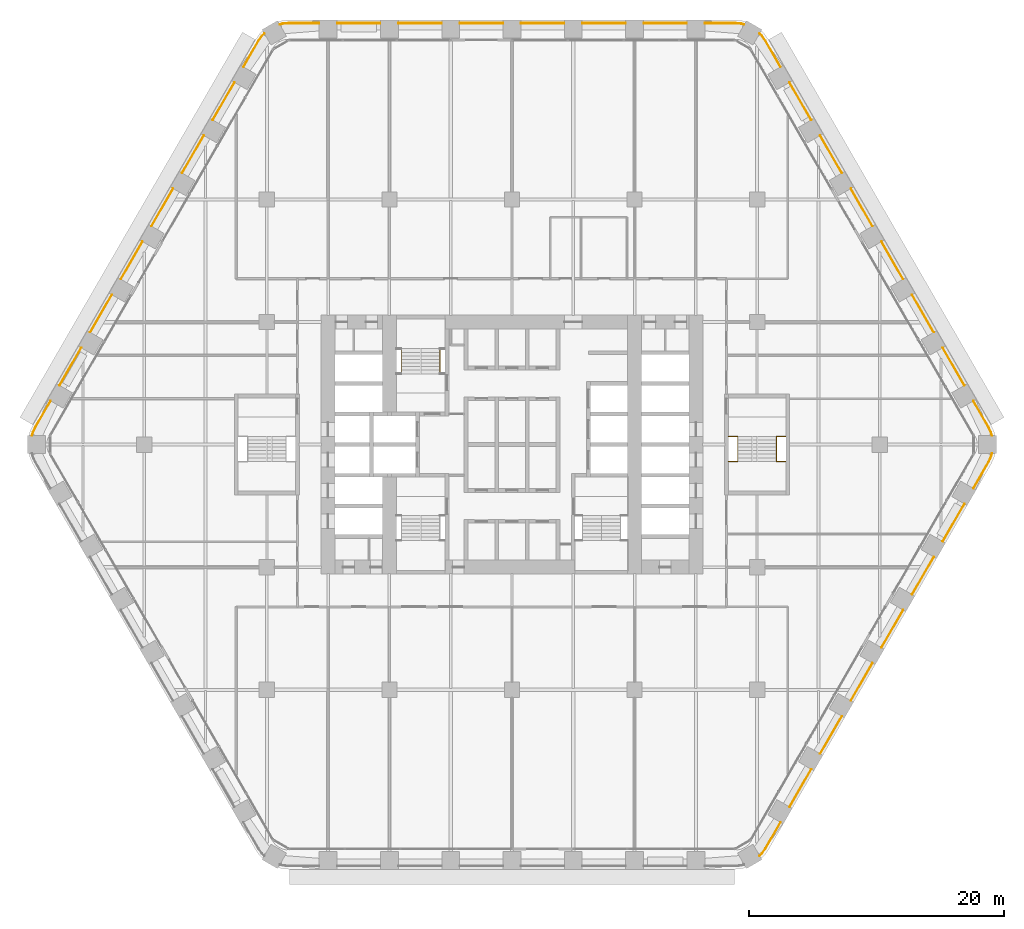
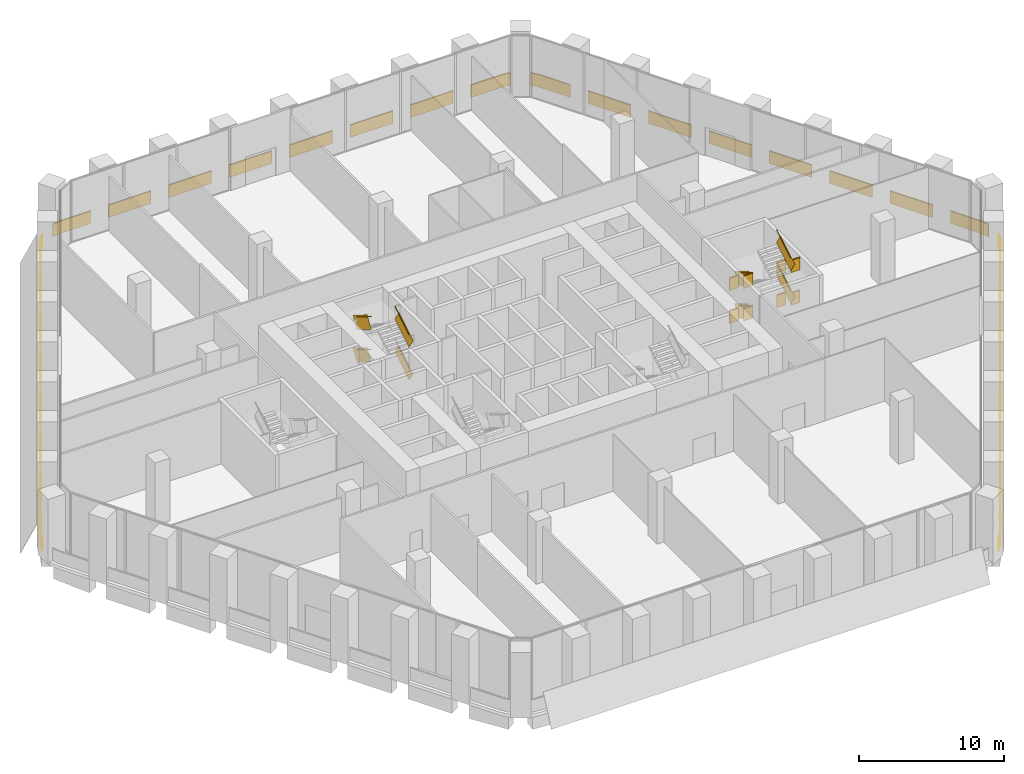
# One storey, part 27 of 27: 7 railings.
"""IFC4 building model written with IfcOpenShell, lengths in metres."""

from ifc_helpers import new_model, si_unit, direction, frame, frame_2d, origin, origin_2d, place, context, subcontext, project, spatial, rectangle, extrude, material, type_object, element, save


model = new_model("IFC4")

# Units and contexts
model_context = context("Model", 3, precision=1e-05, world=origin(), true_north=direction((0.0, 1.0)))
body_context = subcontext(model_context, "Body", "Model", "MODEL_VIEW")
ifc_project = project(units=[si_unit("LENGTHUNIT", "METRE"), si_unit("AREAUNIT", "SQUARE_METRE"), si_unit("VOLUMEUNIT", "CUBIC_METRE"), si_unit("PLANEANGLEUNIT", "RADIAN"), si_unit("MASSUNIT", "GRAM", prefix="KILO")], contexts=[model_context])

# Site, building, storey
site_placement = place(None, origin())
site = spatial("IfcSite", under=ifc_project, at=site_placement, CompositionType="ELEMENT")
building_placement = place(site_placement, origin())
building = spatial("IfcBuilding", under=site, at=building_placement, Name="Kolab Exchange Tower", CompositionType="ELEMENT")
storey_placement = place(building_placement, frame((0.0, 0.0, 22.39990234375)))
storey = spatial("IfcBuildingStorey", under=building, at=storey_placement, Name="L04", CompositionType="ELEMENT", Elevation=22.39990234375)

# Railings
ifc_material_1 = material(Name="Stainless steel 316", Category="steel")
railing_type_1 = type_object("IfcRailingType", Name="GUARD 1100", PredefinedType="GUARDRAIL", material=ifc_material_1)
railing_1_placement = place(storey_placement, frame((-5.639892578125, 5.550048828125, 0.172119140625)))
element("IfcRailing", 1, at=railing_1_placement, inside=storey, type_object=railing_type_1, Name="Handrail guard ST1", PredefinedType="GUARDRAIL", context=body_context, shape_type="SweptSolid", body=[
    extrude(rectangle(XDim=0.05, YDim=0.05, at=origin_2d()), frame((0.0, 0.0, 1.0751953125), z_axis=(0.0, 0.852288308005, 0.523072308613), x_axis=(-1.0, 0.0, 0.0)), (0.0, 0.0, 1.0), 2.299560546875),
    extrude(rectangle(XDim=0.012, YDim=1.05009765625, at=frame_2d((0.0, 0.525146484375))), frame((0.0, 0.0, 0.0), z_axis=(0.0, 0.852288308005, 0.523072308613), x_axis=(-1.0, 0.0, 0.0)), (0.0, 0.0, 1.0), 2.299560546875),
    extrude(rectangle(XDim=0.05, YDim=0.05, at=origin_2d()), frame((-3.02001953125, 1.9599609375, 2.4501953125), z_axis=(0.0, -0.852288308005, 0.523072308613), x_axis=(1.0, 0.0, 0.0)), (0.0, 0.0, 1.0), 2.299560546875),
    extrude(rectangle(XDim=0.012, YDim=1.05009765625, at=frame_2d((0.0, 0.525146484375))), frame((-3.02001953125, 1.9599609375, 1.375), z_axis=(0.0, -0.852288308005, 0.523072308613), x_axis=(1.0, 0.0, 0.0)), (0.0, 0.0, 1.0), 2.299560546875),
    extrude(rectangle(XDim=0.05, YDim=0.05, at=origin_2d()), frame((0.0, 0.0, 3.8251953125), z_axis=(0.0, 0.852288308005, 0.523072308613), x_axis=(-1.0, 0.0, 0.0)), (0.0, 0.0, 1.0), 2.299560546875),
    extrude(rectangle(XDim=0.012, YDim=1.05009765625, at=frame_2d((0.0, 0.525146484375))), frame((0.0, 0.0, 2.75), z_axis=(0.0, 0.852288308005, 0.523072308613), x_axis=(-1.0, 0.0, 0.0)), (0.0, 0.0, 1.0), 2.299560546875),
    extrude(rectangle(XDim=0.05, YDim=0.05, at=origin_2d()), frame((-3.02001953125, 1.9599609375, 5.2001953125), z_axis=(0.0, -0.852288308005, 0.523072308613), x_axis=(1.0, 0.0, 0.0)), (0.0, 0.0, 1.0), 2.299560546875),
    extrude(rectangle(XDim=0.012, YDim=1.05009765625, at=frame_2d((0.0, 0.525146484375))), frame((-3.02001953125, 1.9599609375, 4.125), z_axis=(0.0, -0.852288308005, 0.523072308613), x_axis=(1.0, 0.0, 0.0)), (0.0, 0.0, 1.0), 2.299560546875),
])
railing_2_placement = place(storey_placement, frame((16.949951171875, 0.64990234375, 0.0)))
element("IfcRailing", 2, at=railing_2_placement, inside=storey, type_object=railing_type_1, Name="Guard ST4", PredefinedType="GUARDRAIL", context=body_context, shape_type="SweptSolid", body=[
    extrude(rectangle(XDim=0.05, YDim=0.05, at=origin_2d()), frame((0.0, 0.0, 1.0751953125), z_axis=(1.0, 0.0, 0.0), x_axis=(0.0, 1.0, 0.0)), (0.0, 0.0, 1.0), 0.739990234375),
    extrude(rectangle(XDim=0.012, YDim=1.05009765625, at=frame_2d((0.0, 0.525146484375))), frame((0.0, 0.0, 0.0), z_axis=(1.0, 0.0, 0.0), x_axis=(0.0, 1.0, 0.0)), (0.0, 0.0, 1.0), 0.739990234375),
    extrude(rectangle(XDim=0.05, YDim=0.05, at=origin_2d()), frame((3.760009765625, 0.0, 1.0751953125), z_axis=(1.0, 0.0, 0.0), x_axis=(0.0, 1.0, 0.0)), (0.0, 0.0, 1.0), 0.739990234375),
    extrude(rectangle(XDim=0.012, YDim=1.05009765625, at=frame_2d((0.0, 0.525146484375))), frame((3.760009765625, 0.0, 0.0), z_axis=(1.0, 0.0, 0.0), x_axis=(0.0, 1.0, 0.0)), (0.0, 0.0, 1.0), 0.739990234375),
    extrude(rectangle(XDim=0.05, YDim=0.05, at=origin_2d()), frame((0.0, -1.9599609375, 2.4501953125), z_axis=(1.0, 0.0, 0.0), x_axis=(0.0, 1.0, 0.0)), (0.0, 0.0, 1.0), 0.739990234375),
    extrude(rectangle(XDim=0.012, YDim=1.05009765625, at=frame_2d((0.0, 0.525146484375))), frame((0.0, -1.9599609375, 1.375), z_axis=(1.0, 0.0, 0.0), x_axis=(0.0, 1.0, 0.0)), (0.0, 0.0, 1.0), 0.739990234375),
    extrude(rectangle(XDim=0.05, YDim=0.05, at=origin_2d()), frame((3.760009765625, -1.9599609375, 2.4501953125), z_axis=(1.0, 0.0, 0.0), x_axis=(0.0, 1.0, 0.0)), (0.0, 0.0, 1.0), 0.739990234375),
    extrude(rectangle(XDim=0.012, YDim=1.05009765625, at=frame_2d((0.0, 0.525146484375))), frame((3.760009765625, -1.9599609375, 1.375), z_axis=(1.0, 0.0, 0.0), x_axis=(0.0, 1.0, 0.0)), (0.0, 0.0, 1.0), 0.739990234375),
    extrude(rectangle(XDim=0.05, YDim=0.05, at=origin_2d()), frame((0.0, 0.0, 3.8251953125), z_axis=(1.0, 0.0, 0.0), x_axis=(0.0, 1.0, 0.0)), (0.0, 0.0, 1.0), 0.739990234375),
    extrude(rectangle(XDim=0.012, YDim=1.05009765625, at=frame_2d((0.0, 0.525146484375))), frame((0.0, 0.0, 2.75), z_axis=(1.0, 0.0, 0.0), x_axis=(0.0, 1.0, 0.0)), (0.0, 0.0, 1.0), 0.739990234375),
    extrude(rectangle(XDim=0.05, YDim=0.05, at=origin_2d()), frame((3.760009765625, 0.0, 3.8251953125), z_axis=(1.0, 0.0, 0.0), x_axis=(0.0, 1.0, 0.0)), (0.0, 0.0, 1.0), 0.739990234375),
    extrude(rectangle(XDim=0.012, YDim=1.05009765625, at=frame_2d((0.0, 0.525146484375))), frame((3.760009765625, 0.0, 2.75), z_axis=(1.0, 0.0, 0.0), x_axis=(0.0, 1.0, 0.0)), (0.0, 0.0, 1.0), 0.739990234375),
    extrude(rectangle(XDim=0.05, YDim=0.05, at=origin_2d()), frame((0.0, -1.9599609375, 5.2001953125), z_axis=(1.0, 0.0, 0.0), x_axis=(0.0, 1.0, 0.0)), (0.0, 0.0, 1.0), 0.739990234375),
    extrude(rectangle(XDim=0.012, YDim=1.05009765625, at=frame_2d((0.0, 0.525146484375))), frame((0.0, -1.9599609375, 4.125), z_axis=(1.0, 0.0, 0.0), x_axis=(0.0, 1.0, 0.0)), (0.0, 0.0, 1.0), 0.739990234375),
    extrude(rectangle(XDim=0.05, YDim=0.05, at=origin_2d()), frame((3.760009765625, -1.9599609375, 5.2001953125), z_axis=(1.0, 0.0, 0.0), x_axis=(0.0, 1.0, 0.0)), (0.0, 0.0, 1.0), 0.739990234375),
    extrude(rectangle(XDim=0.012, YDim=1.05009765625, at=frame_2d((0.0, 0.525146484375))), frame((3.760009765625, -1.9599609375, 4.125), z_axis=(1.0, 0.0, 0.0), x_axis=(0.0, 1.0, 0.0)), (0.0, 0.0, 1.0), 0.739990234375),
])
railing_3_placement = place(storey_placement, frame((17.68994140625, 0.64990234375, 0.172119140625)))
element("IfcRailing", 3, at=railing_3_placement, inside=storey, type_object=railing_type_1, Name="Handrail guard ST4", PredefinedType="GUARDRAIL", context=body_context, shape_type="SweptSolid", body=[
    extrude(rectangle(XDim=0.05, YDim=0.05, at=origin_2d()), frame((0.0, 0.0, 1.0751953125), z_axis=(0.0, -0.852288308005, 0.523072308613), x_axis=(1.0, 0.0, 0.0)), (0.0, 0.0, 1.0), 2.299560546875),
    extrude(rectangle(XDim=0.012, YDim=1.05009765625, at=frame_2d((0.0, 0.525146484375))), frame((0.0, 0.0, 0.0), z_axis=(0.0, -0.852288308005, 0.523072308613), x_axis=(1.0, 0.0, 0.0)), (0.0, 0.0, 1.0), 2.299560546875),
    extrude(rectangle(XDim=0.05, YDim=0.05, at=origin_2d()), frame((3.02001953125, -1.9599609375, 2.4501953125), z_axis=(0.0, 0.852288308005, 0.523072308613), x_axis=(-1.0, 0.0, 0.0)), (0.0, 0.0, 1.0), 2.299560546875),
    extrude(rectangle(XDim=0.012, YDim=1.05009765625, at=frame_2d((0.0, 0.525146484375))), frame((3.02001953125, -1.9599609375, 1.375), z_axis=(0.0, 0.852288308005, 0.523072308613), x_axis=(-1.0, 0.0, 0.0)), (0.0, 0.0, 1.0), 2.299560546875),
    extrude(rectangle(XDim=0.05, YDim=0.05, at=origin_2d()), frame((0.0, 0.0, 3.8251953125), z_axis=(0.0, -0.852288308005, 0.523072308613), x_axis=(1.0, 0.0, 0.0)), (0.0, 0.0, 1.0), 2.299560546875),
    extrude(rectangle(XDim=0.012, YDim=1.05009765625, at=frame_2d((0.0, 0.525146484375))), frame((0.0, 0.0, 2.75), z_axis=(0.0, -0.852288308005, 0.523072308613), x_axis=(1.0, 0.0, 0.0)), (0.0, 0.0, 1.0), 2.299560546875),
    extrude(rectangle(XDim=0.05, YDim=0.05, at=origin_2d()), frame((3.02001953125, -1.9599609375, 5.2001953125), z_axis=(0.0, 0.852288308005, 0.523072308613), x_axis=(-1.0, 0.0, 0.0)), (0.0, 0.0, 1.0), 2.299560546875),
    extrude(rectangle(XDim=0.012, YDim=1.05009765625, at=frame_2d((0.0, 0.525146484375))), frame((3.02001953125, -1.9599609375, 4.125), z_axis=(0.0, 0.852288308005, 0.523072308613), x_axis=(-1.0, 0.0, 0.0)), (0.0, 0.0, 1.0), 2.299560546875),
])
ifc_material_2 = material(Name="Steel S235", Category="steel")
railing_type_2 = type_object("IfcRailingType", Name="GUARD 1100 GLASS BALUSTRADE AND STEEL TOP RAIL", PredefinedType="GUARDRAIL", material=ifc_material_2)
railing_4_placement = place(storey_placement, frame((18.1953125, 32.896728515625, 0.0)))
element("IfcRailing", 4, at=railing_4_placement, inside=storey, type_object=railing_type_2, Name="Guard", PredefinedType="GUARDRAIL", context=body_context, shape_type="SweptSolid", body=[
    extrude(rectangle(XDim=0.05, YDim=0.05, at=origin_2d()), frame((0.0, 0.0, 1.0751953125), z_axis=(-0.965952265455, 0.258720352624, 0.0), x_axis=(-0.258720352624, -0.965952265455, 0.0)), (0.0, 0.0, 1.0), 0.258544921875),
    extrude(rectangle(XDim=0.012, YDim=1.05009765625, at=frame_2d((0.0, 0.525146484375))), frame((0.0, 0.0, 0.0), z_axis=(-0.965952265455, 0.258720352624, 0.0), x_axis=(-0.258720352624, -0.965952265455, 0.0)), (0.0, 0.0, 1.0), 0.258544921875),
    extrude(rectangle(XDim=0.05, YDim=0.05, at=origin_2d()), frame((-0.249755859375, 0.06689453125, 1.0751953125), z_axis=(-0.996200348447, 0.087091134757, 0.0), x_axis=(-0.087091134757, -0.996200348447, 0.0)), (0.0, 0.0, 1.0), 0.479248046875),
    extrude(rectangle(XDim=0.012, YDim=1.05009765625, at=frame_2d((0.0, 0.525146484375))), frame((-0.249755859375, 0.06689453125, 0.0), z_axis=(-0.996200348447, 0.087091134757, 0.0), x_axis=(-0.087091134757, -0.996200348447, 0.0)), (0.0, 0.0, 1.0), 0.479248046875),
    extrude(rectangle(XDim=0.05, YDim=0.05, at=origin_2d()), frame((-0.727294921875, 0.108642578125, 1.0751953125), z_axis=(-1.0, 0.0, 0.0), x_axis=(0.0, -1.0, 0.0)), (0.0, 0.0, 1.0), 2.367919921875),
    extrude(rectangle(XDim=0.012, YDim=1.05009765625, at=frame_2d((0.0, 0.525146484375))), frame((-0.727294921875, 0.108642578125, 0.0), z_axis=(-1.0, 0.0, 0.0), x_axis=(0.0, -1.0, 0.0)), (0.0, 0.0, 1.0), 2.367919921875),
    extrude(rectangle(XDim=0.05, YDim=0.05, at=origin_2d()), frame((-4.495361328125, 0.108642578125, 1.0751953125), z_axis=(-1.0, 0.0, 0.0), x_axis=(0.0, -1.0, 0.0)), (0.0, 0.0, 1.0), 3.39990234375),
    extrude(rectangle(XDim=0.012, YDim=1.05009765625, at=frame_2d((0.0, 0.525146484375))), frame((-4.495361328125, 0.108642578125, 0.0), z_axis=(-1.0, 0.0, 0.0), x_axis=(0.0, -1.0, 0.0)), (0.0, 0.0, 1.0), 3.39990234375),
    extrude(rectangle(XDim=0.05, YDim=0.05, at=origin_2d()), frame((-9.29541015625, 0.108642578125, 1.0751953125), z_axis=(-1.0, 0.0, 0.0), x_axis=(0.0, -1.0, 0.0)), (0.0, 0.0, 1.0), 3.39990234375),
    extrude(rectangle(XDim=0.012, YDim=1.05009765625, at=frame_2d((0.0, 0.525146484375))), frame((-9.29541015625, 0.108642578125, 0.0), z_axis=(-1.0, 0.0, 0.0), x_axis=(0.0, -1.0, 0.0)), (0.0, 0.0, 1.0), 3.39990234375),
    extrude(rectangle(XDim=0.05, YDim=0.05, at=origin_2d()), frame((-14.09521484375, 0.108642578125, 1.0751953125), z_axis=(-1.0, 0.0, 0.0), x_axis=(0.0, -1.0, 0.0)), (0.0, 0.0, 1.0), 3.400146484375),
    extrude(rectangle(XDim=0.012, YDim=1.05009765625, at=frame_2d((0.0, 0.525146484375))), frame((-14.09521484375, 0.108642578125, 0.0), z_axis=(-1.0, 0.0, 0.0), x_axis=(0.0, -1.0, 0.0)), (0.0, 0.0, 1.0), 3.400146484375),
    extrude(rectangle(XDim=0.05, YDim=0.05, at=origin_2d()), frame((-18.895263671875, 0.108642578125, 1.0751953125), z_axis=(-1.0, 0.0, 0.0), x_axis=(0.0, -1.0, 0.0)), (0.0, 0.0, 1.0), 3.400146484375),
    extrude(rectangle(XDim=0.012, YDim=1.05009765625, at=frame_2d((0.0, 0.525146484375))), frame((-18.895263671875, 0.108642578125, 0.0), z_axis=(-1.0, 0.0, 0.0), x_axis=(0.0, -1.0, 0.0)), (0.0, 0.0, 1.0), 3.400146484375),
    extrude(rectangle(XDim=0.05, YDim=0.05, at=origin_2d()), frame((-23.6953125, 0.108642578125, 1.0751953125), z_axis=(-1.0, 0.0, 0.0), x_axis=(0.0, -1.0, 0.0)), (0.0, 0.0, 1.0), 3.39990234375),
    extrude(rectangle(XDim=0.012, YDim=1.05009765625, at=frame_2d((0.0, 0.525146484375))), frame((-23.6953125, 0.108642578125, 0.0), z_axis=(-1.0, 0.0, 0.0), x_axis=(0.0, -1.0, 0.0)), (0.0, 0.0, 1.0), 3.39990234375),
    extrude(rectangle(XDim=0.05, YDim=0.05, at=origin_2d()), frame((-28.495361328125, 0.108642578125, 1.0751953125), z_axis=(-1.0, 0.0, 0.0), x_axis=(0.0, -1.0, 0.0)), (0.0, 0.0, 1.0), 3.39990234375),
    extrude(rectangle(XDim=0.012, YDim=1.05009765625, at=frame_2d((0.0, 0.525146484375))), frame((-28.495361328125, 0.108642578125, 0.0), z_axis=(-1.0, 0.0, 0.0), x_axis=(0.0, -1.0, 0.0)), (0.0, 0.0, 1.0), 3.39990234375),
    extrude(rectangle(XDim=0.05, YDim=0.05, at=origin_2d()), frame((-33.29541015625, 0.108642578125, 1.0751953125), z_axis=(-1.0, 0.0, 0.0), x_axis=(0.0, -1.0, 0.0)), (0.0, 0.0, 1.0), 2.367919921875),
    extrude(rectangle(XDim=0.012, YDim=1.05009765625, at=frame_2d((0.0, 0.525146484375))), frame((-33.29541015625, 0.108642578125, 0.0), z_axis=(-1.0, 0.0, 0.0), x_axis=(0.0, -1.0, 0.0)), (0.0, 0.0, 1.0), 2.367919921875),
    extrude(rectangle(XDim=0.05, YDim=0.05, at=origin_2d()), frame((-35.663330078125, 0.108642578125, 1.0751953125), z_axis=(-0.996200348447, -0.087091134757, 0.0), x_axis=(0.087091134757, -0.996200348447, 0.0)), (0.0, 0.0, 1.0), 0.479248046875),
    extrude(rectangle(XDim=0.012, YDim=1.05009765625, at=frame_2d((0.0, 0.525146484375))), frame((-35.663330078125, 0.108642578125, 0.0), z_axis=(-0.996200348447, -0.087091134757, 0.0), x_axis=(0.087091134757, -0.996200348447, 0.0)), (0.0, 0.0, 1.0), 0.479248046875),
    extrude(rectangle(XDim=0.05, YDim=0.05, at=origin_2d()), frame((-36.140869140625, 0.06689453125, 1.0751953125), z_axis=(-0.965952265455, -0.258720352624, 0.0), x_axis=(0.258720352624, -0.965952265455, 0.0)), (0.0, 0.0, 1.0), 0.258544921875),
    extrude(rectangle(XDim=0.012, YDim=1.05009765625, at=frame_2d((0.0, 0.525146484375))), frame((-36.140869140625, 0.06689453125, 0.0), z_axis=(-0.965952265455, -0.258720352624, 0.0), x_axis=(0.258720352624, -0.965952265455, 0.0)), (0.0, 0.0, 1.0), 0.258544921875),
])
railing_5_placement = place(storey_placement, frame((37.5869140625, 0.690673828125, 0.0)))
element("IfcRailing", 5, at=railing_5_placement, inside=storey, type_object=railing_type_2, Name="Guard", PredefinedType="GUARDRAIL", context=body_context, shape_type="SweptSolid", body=[
    extrude(rectangle(XDim=0.05, YDim=0.05, at=origin_2d()), frame((0.0, 0.0, 1.0751953125), z_axis=(-0.258484584798, 0.966015382601, 0.0), x_axis=(-0.966015382601, -0.258484584798, 0.0)), (0.0, 0.0, 1.0), 0.2587890625),
    extrude(rectangle(XDim=0.012, YDim=1.05009765625, at=frame_2d((0.0, 0.525146484375))), frame((0.0, 0.0, 0.0), z_axis=(-0.258484584798, 0.966015382601, 0.0), x_axis=(-0.966015382601, -0.258484584798, 0.0)), (0.0, 0.0, 1.0), 0.2587890625),
    extrude(rectangle(XDim=0.05, YDim=0.05, at=origin_2d()), frame((-0.06689453125, 0.25, 1.0751953125), z_axis=(-0.422801802984, 0.906222177721, 0.0), x_axis=(-0.906222177721, -0.422801802984, 0.0)), (0.0, 0.0, 1.0), 0.479248046875),
    extrude(rectangle(XDim=0.012, YDim=1.05009765625, at=frame_2d((0.0, 0.525146484375))), frame((-0.06689453125, 0.25, 0.0), z_axis=(-0.422801802984, 0.906222177721, 0.0), x_axis=(-0.906222177721, -0.422801802984, 0.0)), (0.0, 0.0, 1.0), 0.479248046875),
    extrude(rectangle(XDim=0.05, YDim=0.05, at=origin_2d()), frame((-0.26953125, 0.684326171875, 1.0751953125), z_axis=(-0.499942602326, 0.866058539811, 0.0), x_axis=(-0.866058539811, -0.499942602326, 0.0)), (0.0, 0.0, 1.0), 2.367919921875),
    extrude(rectangle(XDim=0.012, YDim=1.05009765625, at=frame_2d((0.0, 0.525146484375))), frame((-0.26953125, 0.684326171875, 0.0), z_axis=(-0.499942602326, 0.866058539811, 0.0), x_axis=(-0.866058539811, -0.499942602326, 0.0)), (0.0, 0.0, 1.0), 2.367919921875),
    extrude(rectangle(XDim=0.05, YDim=0.05, at=origin_2d()), frame((-2.1533203125, 3.947509765625, 1.0751953125), z_axis=(-0.500062241894, 0.865989465428, 0.0), x_axis=(-0.865989465428, -0.500062241894, 0.0)), (0.0, 0.0, 1.0), 3.39990234375),
    extrude(rectangle(XDim=0.012, YDim=1.05009765625, at=frame_2d((0.0, 0.525146484375))), frame((-2.1533203125, 3.947509765625, 0.0), z_axis=(-0.500062241894, 0.865989465428, 0.0), x_axis=(-0.865989465428, -0.500062241894, 0.0)), (0.0, 0.0, 1.0), 3.39990234375),
    extrude(rectangle(XDim=0.05, YDim=0.05, at=origin_2d()), frame((-4.553466796875, 8.1044921875, 1.0751953125), z_axis=(-0.500008388397, 0.866020560687, 0.0), x_axis=(-0.866020560687, -0.500008388397, 0.0)), (0.0, 0.0, 1.0), 3.39990234375),
    extrude(rectangle(XDim=0.012, YDim=1.05009765625, at=frame_2d((0.0, 0.525146484375))), frame((-4.553466796875, 8.1044921875, 0.0), z_axis=(-0.500008388397, 0.866020560687, 0.0), x_axis=(-0.866020560687, -0.500008388397, 0.0)), (0.0, 0.0, 1.0), 3.39990234375),
    extrude(rectangle(XDim=0.05, YDim=0.05, at=origin_2d()), frame((-6.953369140625, 12.26123046875, 1.0751953125), z_axis=(-0.499977295307, 0.866038511948, 0.0), x_axis=(-0.866038511948, -0.499977295307, 0.0)), (0.0, 0.0, 1.0), 3.400146484375),
    extrude(rectangle(XDim=0.012, YDim=1.05009765625, at=frame_2d((0.0, 0.525146484375))), frame((-6.953369140625, 12.26123046875, 0.0), z_axis=(-0.499977295307, 0.866038511948, 0.0), x_axis=(-0.866038511948, -0.499977295307, 0.0)), (0.0, 0.0, 1.0), 3.400146484375),
    extrude(rectangle(XDim=0.05, YDim=0.05, at=origin_2d()), frame((-9.353515625, 16.418212890625, 1.0751953125), z_axis=(-0.499977295307, 0.866038511948, 0.0), x_axis=(-0.866038511948, -0.499977295307, 0.0)), (0.0, 0.0, 1.0), 3.400146484375),
    extrude(rectangle(XDim=0.012, YDim=1.05009765625, at=frame_2d((0.0, 0.525146484375))), frame((-9.353515625, 16.418212890625, 0.0), z_axis=(-0.499977295307, 0.866038511948, 0.0), x_axis=(-0.866038511948, -0.499977295307, 0.0)), (0.0, 0.0, 1.0), 3.400146484375),
    extrude(rectangle(XDim=0.05, YDim=0.05, at=origin_2d()), frame((-11.75341796875, 20.5751953125, 1.0751953125), z_axis=(-0.500008388397, 0.866020560687, 0.0), x_axis=(-0.866020560687, -0.500008388397, 0.0)), (0.0, 0.0, 1.0), 3.39990234375),
    extrude(rectangle(XDim=0.012, YDim=1.05009765625, at=frame_2d((0.0, 0.525146484375))), frame((-11.75341796875, 20.5751953125, 0.0), z_axis=(-0.500008388397, 0.866020560687, 0.0), x_axis=(-0.866020560687, -0.500008388397, 0.0)), (0.0, 0.0, 1.0), 3.39990234375),
    extrude(rectangle(XDim=0.05, YDim=0.05, at=origin_2d()), frame((-14.1533203125, 24.732177734375, 1.0751953125), z_axis=(-0.500062241894, 0.865989465428, 0.0), x_axis=(-0.865989465428, -0.500062241894, 0.0)), (0.0, 0.0, 1.0), 3.39990234375),
    extrude(rectangle(XDim=0.012, YDim=1.05009765625, at=frame_2d((0.0, 0.525146484375))), frame((-14.1533203125, 24.732177734375, 0.0), z_axis=(-0.500062241894, 0.865989465428, 0.0), x_axis=(-0.865989465428, -0.500062241894, 0.0)), (0.0, 0.0, 1.0), 3.39990234375),
    extrude(rectangle(XDim=0.05, YDim=0.05, at=origin_2d()), frame((-16.553466796875, 28.888916015625, 1.0751953125), z_axis=(-0.499942602326, 0.866058539811, 0.0), x_axis=(-0.866058539811, -0.499942602326, 0.0)), (0.0, 0.0, 1.0), 2.367919921875),
    extrude(rectangle(XDim=0.012, YDim=1.05009765625, at=frame_2d((0.0, 0.525146484375))), frame((-16.553466796875, 28.888916015625, 0.0), z_axis=(-0.499942602326, 0.866058539811, 0.0), x_axis=(-0.866058539811, -0.499942602326, 0.0)), (0.0, 0.0, 1.0), 2.367919921875),
    extrude(rectangle(XDim=0.05, YDim=0.05, at=origin_2d()), frame((-17.7373046875, 30.939697265625, 1.0751953125), z_axis=(-0.573940749815, 0.818896828485, 0.0), x_axis=(-0.818896828485, -0.573940749815, 0.0)), (0.0, 0.0, 1.0), 0.4794921875),
    extrude(rectangle(XDim=0.012, YDim=1.05009765625, at=frame_2d((0.0, 0.525146484375))), frame((-17.7373046875, 30.939697265625, 0.0), z_axis=(-0.573940749815, 0.818896828485, 0.0), x_axis=(-0.818896828485, -0.573940749815, 0.0)), (0.0, 0.0, 1.0), 0.4794921875),
    extrude(rectangle(XDim=0.05, YDim=0.05, at=origin_2d()), frame((-18.012451171875, 31.332275390625, 1.0751953125), z_axis=(-0.706634904947, 0.707578342737, 0.0), x_axis=(-0.707578342737, -0.706634904947, 0.0)), (0.0, 0.0, 1.0), 0.2587890625),
    extrude(rectangle(XDim=0.012, YDim=1.05009765625, at=frame_2d((0.0, 0.525146484375))), frame((-18.012451171875, 31.332275390625, 0.0), z_axis=(-0.706634904947, 0.707578342737, 0.0), x_axis=(-0.707578342737, -0.706634904947, 0.0)), (0.0, 0.0, 1.0), 0.2587890625),
])
railing_6_placement = place(storey_placement, frame((19.3916015625, -32.2060546875, 0.0)))
element("IfcRailing", 6, at=railing_6_placement, inside=storey, type_object=railing_type_2, Name="Guard", PredefinedType="GUARDRAIL", context=body_context, shape_type="SweptSolid", body=[
    extrude(rectangle(XDim=0.05, YDim=0.05, at=origin_2d()), frame((0.0, 0.0, 1.0751953125), z_axis=(0.706634904947, 0.707578342737, 0.0), x_axis=(-0.707578342737, 0.706634904947, 0.0)), (0.0, 0.0, 1.0), 0.2587890625),
    extrude(rectangle(XDim=0.012, YDim=1.05009765625, at=frame_2d((0.0, 0.525146484375))), frame((0.0, 0.0, 0.0), z_axis=(0.706634904947, 0.707578342737, 0.0), x_axis=(-0.707578342737, 0.706634904947, 0.0)), (0.0, 0.0, 1.0), 0.2587890625),
    extrude(rectangle(XDim=0.05, YDim=0.05, at=origin_2d()), frame((0.182861328125, 0.18310546875, 1.0751953125), z_axis=(0.573940749815, 0.818896828485, 0.0), x_axis=(-0.818896828485, 0.573940749815, 0.0)), (0.0, 0.0, 1.0), 0.4794921875),
    extrude(rectangle(XDim=0.012, YDim=1.05009765625, at=frame_2d((0.0, 0.525146484375))), frame((0.182861328125, 0.18310546875, 0.0), z_axis=(0.573940749815, 0.818896828485, 0.0), x_axis=(-0.818896828485, 0.573940749815, 0.0)), (0.0, 0.0, 1.0), 0.4794921875),
    extrude(rectangle(XDim=0.05, YDim=0.05, at=origin_2d()), frame((0.4580078125, 0.57568359375, 1.0751953125), z_axis=(0.499942602326, 0.866058539811, 0.0), x_axis=(-0.866058539811, 0.499942602326, 0.0)), (0.0, 0.0, 1.0), 2.367919921875),
    extrude(rectangle(XDim=0.012, YDim=1.05009765625, at=frame_2d((0.0, 0.525146484375))), frame((0.4580078125, 0.57568359375, 0.0), z_axis=(0.499942602326, 0.866058539811, 0.0), x_axis=(-0.866058539811, 0.499942602326, 0.0)), (0.0, 0.0, 1.0), 2.367919921875),
    extrude(rectangle(XDim=0.05, YDim=0.05, at=origin_2d()), frame((2.341796875, 3.8388671875, 1.0751953125), z_axis=(0.500062241894, 0.865989465428, 0.0), x_axis=(-0.865989465428, 0.500062241894, 0.0)), (0.0, 0.0, 1.0), 3.39990234375),
    extrude(rectangle(XDim=0.012, YDim=1.05009765625, at=frame_2d((0.0, 0.525146484375))), frame((2.341796875, 3.8388671875, 0.0), z_axis=(0.500062241894, 0.865989465428, 0.0), x_axis=(-0.865989465428, 0.500062241894, 0.0)), (0.0, 0.0, 1.0), 3.39990234375),
    extrude(rectangle(XDim=0.05, YDim=0.05, at=origin_2d()), frame((4.741943359375, 7.995849609375, 1.0751953125), z_axis=(0.500008388397, 0.866020560687, 0.0), x_axis=(-0.866020560687, 0.500008388397, 0.0)), (0.0, 0.0, 1.0), 3.39990234375),
    extrude(rectangle(XDim=0.012, YDim=1.05009765625, at=frame_2d((0.0, 0.525146484375))), frame((4.741943359375, 7.995849609375, 0.0), z_axis=(0.500008388397, 0.866020560687, 0.0), x_axis=(-0.866020560687, 0.500008388397, 0.0)), (0.0, 0.0, 1.0), 3.39990234375),
    extrude(rectangle(XDim=0.05, YDim=0.05, at=origin_2d()), frame((7.141845703125, 12.152587890625, 1.0751953125), z_axis=(0.499977295307, 0.866038511948, 0.0), x_axis=(-0.866038511948, 0.499977295307, 0.0)), (0.0, 0.0, 1.0), 3.400146484375),
    extrude(rectangle(XDim=0.012, YDim=1.05009765625, at=frame_2d((0.0, 0.525146484375))), frame((7.141845703125, 12.152587890625, 0.0), z_axis=(0.499977295307, 0.866038511948, 0.0), x_axis=(-0.866038511948, 0.499977295307, 0.0)), (0.0, 0.0, 1.0), 3.400146484375),
    extrude(rectangle(XDim=0.05, YDim=0.05, at=origin_2d()), frame((9.5419921875, 16.3095703125, 1.0751953125), z_axis=(0.499977295307, 0.866038511948, 0.0), x_axis=(-0.866038511948, 0.499977295307, 0.0)), (0.0, 0.0, 1.0), 3.400146484375),
    extrude(rectangle(XDim=0.012, YDim=1.05009765625, at=frame_2d((0.0, 0.525146484375))), frame((9.5419921875, 16.3095703125, 0.0), z_axis=(0.499977295307, 0.866038511948, 0.0), x_axis=(-0.866038511948, 0.499977295307, 0.0)), (0.0, 0.0, 1.0), 3.400146484375),
    extrude(rectangle(XDim=0.05, YDim=0.05, at=origin_2d()), frame((11.94189453125, 20.466552734375, 1.0751953125), z_axis=(0.500008388397, 0.866020560687, 0.0), x_axis=(-0.866020560687, 0.500008388397, 0.0)), (0.0, 0.0, 1.0), 3.39990234375),
    extrude(rectangle(XDim=0.012, YDim=1.05009765625, at=frame_2d((0.0, 0.525146484375))), frame((11.94189453125, 20.466552734375, 0.0), z_axis=(0.500008388397, 0.866020560687, 0.0), x_axis=(-0.866020560687, 0.500008388397, 0.0)), (0.0, 0.0, 1.0), 3.39990234375),
    extrude(rectangle(XDim=0.05, YDim=0.05, at=origin_2d()), frame((14.341796875, 24.62353515625, 1.0751953125), z_axis=(0.500062241894, 0.865989465428, 0.0), x_axis=(-0.865989465428, 0.500062241894, 0.0)), (0.0, 0.0, 1.0), 3.39990234375),
    extrude(rectangle(XDim=0.012, YDim=1.05009765625, at=frame_2d((0.0, 0.525146484375))), frame((14.341796875, 24.62353515625, 0.0), z_axis=(0.500062241894, 0.865989465428, 0.0), x_axis=(-0.865989465428, 0.500062241894, 0.0)), (0.0, 0.0, 1.0), 3.39990234375),
    extrude(rectangle(XDim=0.05, YDim=0.05, at=origin_2d()), frame((16.741943359375, 28.7802734375, 1.0751953125), z_axis=(0.499942602326, 0.866058539811, 0.0), x_axis=(-0.866058539811, 0.499942602326, 0.0)), (0.0, 0.0, 1.0), 2.367919921875),
    extrude(rectangle(XDim=0.012, YDim=1.05009765625, at=frame_2d((0.0, 0.525146484375))), frame((16.741943359375, 28.7802734375, 0.0), z_axis=(0.499942602326, 0.866058539811, 0.0), x_axis=(-0.866058539811, 0.499942602326, 0.0)), (0.0, 0.0, 1.0), 2.367919921875),
    extrude(rectangle(XDim=0.05, YDim=0.05, at=origin_2d()), frame((17.92578125, 30.8310546875, 1.0751953125), z_axis=(0.422801802984, 0.906222177721, 0.0), x_axis=(-0.906222177721, 0.422801802984, 0.0)), (0.0, 0.0, 1.0), 0.479248046875),
    extrude(rectangle(XDim=0.012, YDim=1.05009765625, at=frame_2d((0.0, 0.525146484375))), frame((17.92578125, 30.8310546875, 0.0), z_axis=(0.422801802984, 0.906222177721, 0.0), x_axis=(-0.906222177721, 0.422801802984, 0.0)), (0.0, 0.0, 1.0), 0.479248046875),
    extrude(rectangle(XDim=0.05, YDim=0.05, at=origin_2d()), frame((18.12841796875, 31.265380859375, 1.0751953125), z_axis=(0.258484584798, 0.966015382601, 0.0), x_axis=(-0.966015382601, 0.258484584798, 0.0)), (0.0, 0.0, 1.0), 0.2587890625),
    extrude(rectangle(XDim=0.012, YDim=1.05009765625, at=frame_2d((0.0, 0.525146484375))), frame((18.12841796875, 31.265380859375, 0.0), z_axis=(0.258484584798, 0.966015382601, 0.0), x_axis=(-0.966015382601, 0.258484584798, 0.0)), (0.0, 0.0, 1.0), 0.2587890625),
])
railing_7_placement = place(storey_placement, frame((-19.3916015625, 32.2060546875, 0.0)))
element("IfcRailing", 7, at=railing_7_placement, inside=storey, type_object=railing_type_2, Name="Guard", PredefinedType="GUARDRAIL", context=body_context, shape_type="SweptSolid", body=[
    extrude(rectangle(XDim=0.05, YDim=0.05, at=origin_2d()), frame((0.0, 0.0, 1.0751953125), z_axis=(-0.706634904947, -0.707578342737, 0.0), x_axis=(0.707578342737, -0.706634904947, 0.0)), (0.0, 0.0, 1.0), 0.2587890625),
    extrude(rectangle(XDim=0.012, YDim=1.05009765625, at=frame_2d((0.0, 0.525146484375))), frame((0.0, 0.0, 0.0), z_axis=(-0.706634904947, -0.707578342737, 0.0), x_axis=(0.707578342737, -0.706634904947, 0.0)), (0.0, 0.0, 1.0), 0.2587890625),
    extrude(rectangle(XDim=0.05, YDim=0.05, at=origin_2d()), frame((-0.182861328125, -0.18310546875, 1.0751953125), z_axis=(-0.573940749815, -0.818896828485, 0.0), x_axis=(0.818896828485, -0.573940749815, 0.0)), (0.0, 0.0, 1.0), 0.4794921875),
    extrude(rectangle(XDim=0.012, YDim=1.05009765625, at=frame_2d((0.0, 0.525146484375))), frame((-0.182861328125, -0.18310546875, 0.0), z_axis=(-0.573940749815, -0.818896828485, 0.0), x_axis=(0.818896828485, -0.573940749815, 0.0)), (0.0, 0.0, 1.0), 0.4794921875),
    extrude(rectangle(XDim=0.05, YDim=0.05, at=origin_2d()), frame((-0.4580078125, -0.57568359375, 1.0751953125), z_axis=(-0.499942602326, -0.866058539811, 0.0), x_axis=(0.866058539811, -0.499942602326, 0.0)), (0.0, 0.0, 1.0), 2.367919921875),
    extrude(rectangle(XDim=0.012, YDim=1.05009765625, at=frame_2d((0.0, 0.525146484375))), frame((-0.4580078125, -0.57568359375, 0.0), z_axis=(-0.499942602326, -0.866058539811, 0.0), x_axis=(0.866058539811, -0.499942602326, 0.0)), (0.0, 0.0, 1.0), 2.367919921875),
    extrude(rectangle(XDim=0.05, YDim=0.05, at=origin_2d()), frame((-2.341796875, -3.8388671875, 1.0751953125), z_axis=(-0.500062241894, -0.865989465428, 0.0), x_axis=(0.865989465428, -0.500062241894, 0.0)), (0.0, 0.0, 1.0), 3.39990234375),
    extrude(rectangle(XDim=0.012, YDim=1.05009765625, at=frame_2d((0.0, 0.525146484375))), frame((-2.341796875, -3.8388671875, 0.0), z_axis=(-0.500062241894, -0.865989465428, 0.0), x_axis=(0.865989465428, -0.500062241894, 0.0)), (0.0, 0.0, 1.0), 3.39990234375),
    extrude(rectangle(XDim=0.05, YDim=0.05, at=origin_2d()), frame((-4.741943359375, -7.995849609375, 1.0751953125), z_axis=(-0.500008388397, -0.866020560687, 0.0), x_axis=(0.866020560687, -0.500008388397, 0.0)), (0.0, 0.0, 1.0), 3.39990234375),
    extrude(rectangle(XDim=0.012, YDim=1.05009765625, at=frame_2d((0.0, 0.525146484375))), frame((-4.741943359375, -7.995849609375, 0.0), z_axis=(-0.500008388397, -0.866020560687, 0.0), x_axis=(0.866020560687, -0.500008388397, 0.0)), (0.0, 0.0, 1.0), 3.39990234375),
    extrude(rectangle(XDim=0.05, YDim=0.05, at=origin_2d()), frame((-7.141845703125, -12.152587890625, 1.0751953125), z_axis=(-0.499977295307, -0.866038511948, 0.0), x_axis=(0.866038511948, -0.499977295307, 0.0)), (0.0, 0.0, 1.0), 3.400146484375),
    extrude(rectangle(XDim=0.012, YDim=1.05009765625, at=frame_2d((0.0, 0.525146484375))), frame((-7.141845703125, -12.152587890625, 0.0), z_axis=(-0.499977295307, -0.866038511948, 0.0), x_axis=(0.866038511948, -0.499977295307, 0.0)), (0.0, 0.0, 1.0), 3.400146484375),
    extrude(rectangle(XDim=0.05, YDim=0.05, at=origin_2d()), frame((-9.5419921875, -16.3095703125, 1.0751953125), z_axis=(-0.499977295307, -0.866038511948, 0.0), x_axis=(0.866038511948, -0.499977295307, 0.0)), (0.0, 0.0, 1.0), 3.400146484375),
    extrude(rectangle(XDim=0.012, YDim=1.05009765625, at=frame_2d((0.0, 0.525146484375))), frame((-9.5419921875, -16.3095703125, 0.0), z_axis=(-0.499977295307, -0.866038511948, 0.0), x_axis=(0.866038511948, -0.499977295307, 0.0)), (0.0, 0.0, 1.0), 3.400146484375),
    extrude(rectangle(XDim=0.05, YDim=0.05, at=origin_2d()), frame((-11.94189453125, -20.466552734375, 1.0751953125), z_axis=(-0.500008388397, -0.866020560687, 0.0), x_axis=(0.866020560687, -0.500008388397, 0.0)), (0.0, 0.0, 1.0), 3.39990234375),
    extrude(rectangle(XDim=0.012, YDim=1.05009765625, at=frame_2d((0.0, 0.525146484375))), frame((-11.94189453125, -20.466552734375, 0.0), z_axis=(-0.500008388397, -0.866020560687, 0.0), x_axis=(0.866020560687, -0.500008388397, 0.0)), (0.0, 0.0, 1.0), 3.39990234375),
    extrude(rectangle(XDim=0.05, YDim=0.05, at=origin_2d()), frame((-14.341796875, -24.62353515625, 1.0751953125), z_axis=(-0.500062241894, -0.865989465428, 0.0), x_axis=(0.865989465428, -0.500062241894, 0.0)), (0.0, 0.0, 1.0), 3.39990234375),
    extrude(rectangle(XDim=0.012, YDim=1.05009765625, at=frame_2d((0.0, 0.525146484375))), frame((-14.341796875, -24.62353515625, 0.0), z_axis=(-0.500062241894, -0.865989465428, 0.0), x_axis=(0.865989465428, -0.500062241894, 0.0)), (0.0, 0.0, 1.0), 3.39990234375),
    extrude(rectangle(XDim=0.05, YDim=0.05, at=origin_2d()), frame((-16.741943359375, -28.7802734375, 1.0751953125), z_axis=(-0.499942602326, -0.866058539811, 0.0), x_axis=(0.866058539811, -0.499942602326, 0.0)), (0.0, 0.0, 1.0), 2.367919921875),
    extrude(rectangle(XDim=0.012, YDim=1.05009765625, at=frame_2d((0.0, 0.525146484375))), frame((-16.741943359375, -28.7802734375, 0.0), z_axis=(-0.499942602326, -0.866058539811, 0.0), x_axis=(0.866058539811, -0.499942602326, 0.0)), (0.0, 0.0, 1.0), 2.367919921875),
    extrude(rectangle(XDim=0.05, YDim=0.05, at=origin_2d()), frame((-17.92578125, -30.8310546875, 1.0751953125), z_axis=(-0.422801802984, -0.906222177721, 0.0), x_axis=(0.906222177721, -0.422801802984, 0.0)), (0.0, 0.0, 1.0), 0.479248046875),
    extrude(rectangle(XDim=0.012, YDim=1.05009765625, at=frame_2d((0.0, 0.525146484375))), frame((-17.92578125, -30.8310546875, 0.0), z_axis=(-0.422801802984, -0.906222177721, 0.0), x_axis=(0.906222177721, -0.422801802984, 0.0)), (0.0, 0.0, 1.0), 0.479248046875),
    extrude(rectangle(XDim=0.05, YDim=0.05, at=origin_2d()), frame((-18.12841796875, -31.265380859375, 1.0751953125), z_axis=(-0.258484584798, -0.966015382601, 0.0), x_axis=(0.966015382601, -0.258484584798, 0.0)), (0.0, 0.0, 1.0), 0.2587890625),
    extrude(rectangle(XDim=0.012, YDim=1.05009765625, at=frame_2d((0.0, 0.525146484375))), frame((-18.12841796875, -31.265380859375, 0.0), z_axis=(-0.258484584798, -0.966015382601, 0.0), x_axis=(0.966015382601, -0.258484584798, 0.0)), (0.0, 0.0, 1.0), 0.2587890625),
])

save(model, "model.ifc")
